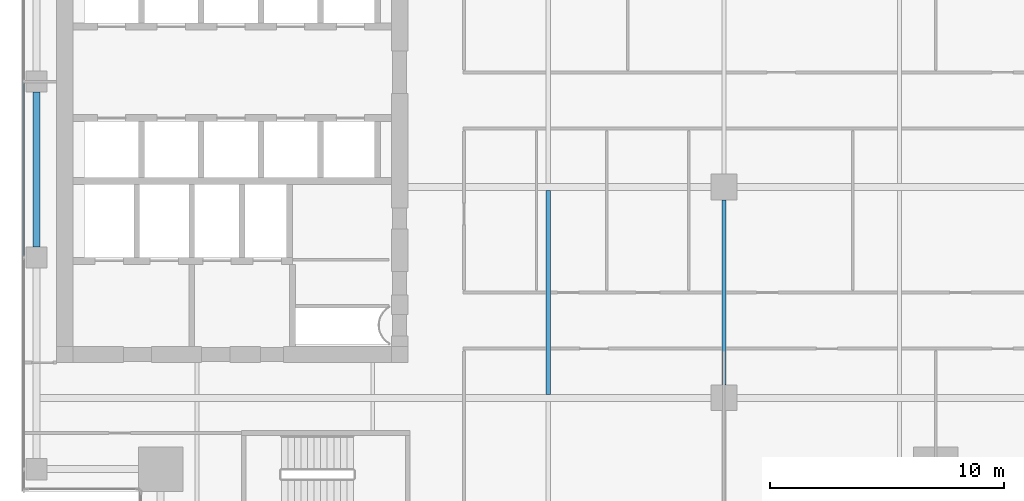
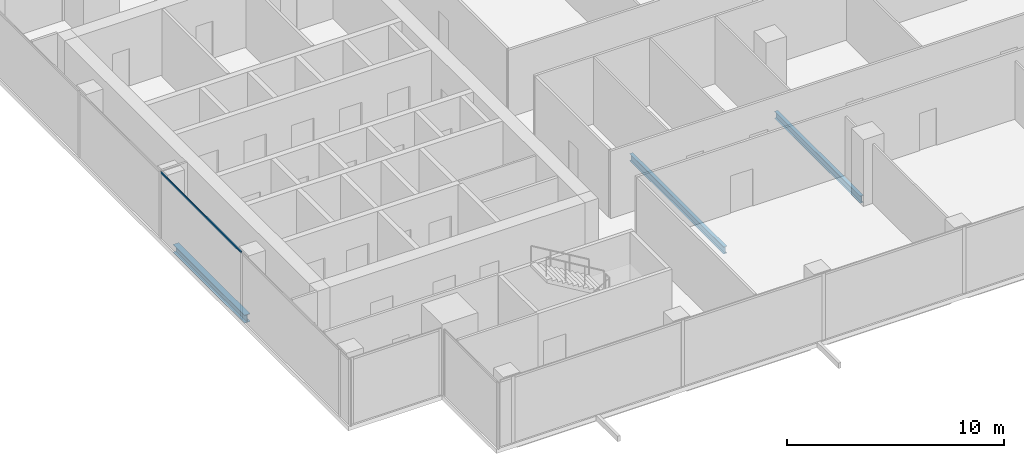
# One storey, part 7 of 34: 3 beams, 1 member, 1 element without a shape of its own.
"""IFC4 building model written with IfcOpenShell, lengths in metres."""

from ifc_helpers import new_model, si_unit, direction, frame, origin, origin_2d, place, context, subcontext, project, spatial, hollow_rectangle, i_section, extrude, source, transform, mapped, material, material_profile, profile_set, type_object, element, aggregate, save


model = new_model("IFC4")

# Units and contexts
model_context = context("Model", 3, precision=1e-05, world=origin(), true_north=direction((0.0, 1.0)))
body_context = subcontext(model_context, "Body", "Model", "MODEL_VIEW")
ifc_project = project(units=[si_unit("LENGTHUNIT", "METRE"), si_unit("AREAUNIT", "SQUARE_METRE"), si_unit("VOLUMEUNIT", "CUBIC_METRE"), si_unit("PLANEANGLEUNIT", "RADIAN"), si_unit("MASSUNIT", "GRAM", prefix="KILO")], contexts=[model_context])

# Site, building, storey
site_placement = place(None, origin())
site = spatial("IfcSite", under=ifc_project, at=site_placement, CompositionType="ELEMENT")
building_placement = place(site_placement, origin())
building = spatial("IfcBuilding", under=site, at=building_placement, Name="Khomas Fold Tower", CompositionType="ELEMENT")
storey_placement = place(building_placement, frame((0.0, 0.0, 242.199951171875)))
storey = spatial("IfcBuildingStorey", under=building, at=storey_placement, Name="L54", CompositionType="ELEMENT", Elevation=242.199951171875)

# Beams
ifc_material_1 = material(Name="Steel S355", Category="steel")
ifc_material_profile_1 = material_profile(ifc_material_1, i_section(OverallWidth=0.179931640625, OverallDepth=0.39990234375, WebThickness=0.008544921875, FlangeThickness=0.013427734375, at=origin_2d()), Name="IPE 400")
ifc_profile_set_1 = profile_set([ifc_material_profile_1], Name="Steel S355")
beam_type_1 = type_object("IfcBeamType", Name="IPE 400 beam JB3", PredefinedType="BEAM", material=ifc_profile_set_1)
shared_shape_1 = source(origin(), body_context, "Body", "SweptSolid", [
    extrude(i_section(OverallWidth=0.179931640625, OverallDepth=0.39990234375, WebThickness=0.008544921875, FlangeThickness=0.013427734375, at=origin_2d()), origin(), (0.0, 0.0, 1.0), 8.7001953125),
])
beam_1_placement = place(storey_placement, frame((27.0, 13.64990234375, -0.449951171875), z_axis=(0.0, 1.0, 0.0), x_axis=(-1.0, 0.0, 0.0)))
element("IfcBeam", 1, at=beam_1_placement, inside=storey, type_object=beam_type_1, Name="JB3", PredefinedType="BEAM", context=body_context, shape_type="MappedRepresentation", body=[
    mapped(shared_shape_1, transform((0.0, 0.0, 0.0))),
])
ifc_material_2 = material(Name="Steel S355", Category="steel")
ifc_material_profile_2 = material_profile(ifc_material_2, i_section(OverallWidth=0.300048828125, OverallDepth=0.449951171875, WebThickness=0.013916015625, FlangeThickness=0.02587890625, at=origin_2d()), Name="HE 450 B")
ifc_profile_set_2 = profile_set([ifc_material_profile_2], Name="Steel S355")
beam_type_2 = type_object("IfcBeamType", Name="HE 450 B spandrel SB4", PredefinedType="SPANDREL", material=ifc_profile_set_2)
shared_shape_2 = source(origin(), body_context, "Body", "SweptSolid", [
    extrude(i_section(OverallWidth=0.300048828125, OverallDepth=0.449951171875, WebThickness=0.013916015625, FlangeThickness=0.02587890625, at=origin_2d()), origin(), (0.0, 0.0, 1.0), 6.60009765625),
])
beam_2_placement = place(storey_placement, frame((5.14990234375, 19.949951171875, -0.474853515625), z_axis=(0.0, 1.0, 0.0), x_axis=(-1.0, 0.0, 0.0)))
element("IfcBeam", 2, at=beam_2_placement, inside=storey, type_object=beam_type_2, Name="SB4", PredefinedType="SPANDREL", context=body_context, shape_type="MappedRepresentation", body=[
    mapped(shared_shape_2, transform((0.0, 0.0, 0.0))),
])
shared_shape_3 = source(origin(), body_context, "Body", "SweptSolid", [
    extrude(i_section(OverallWidth=0.179931640625, OverallDepth=0.39990234375, WebThickness=0.008544921875, FlangeThickness=0.013427734375, at=origin_2d()), origin(), (0.0, 0.0, 1.0), 7.89990234375),
])
beam_3_placement = place(storey_placement, frame((34.5, 14.050048828125, -0.449951171875), z_axis=(0.0, 1.0, 0.0), x_axis=(-1.0, 0.0, 0.0)))
element("IfcBeam", 3, at=beam_3_placement, inside=storey, type_object=beam_type_1, Name="JB3", PredefinedType="BEAM", context=body_context, shape_type="MappedRepresentation", body=[
    mapped(shared_shape_3, transform((0.0, 0.0, 0.0))),
])

# Curtain wall, member
ifc_material_3 = material(Name="Aluminium framed double glazing", Category="aluminium")
curtain_wall_type = type_object("IfcCurtainWallType", Name="SK-Unitised clear-glass wall, office floors CW2", PredefinedType="NOTDEFINED", material=ifc_material_3)
curtain_wall_placement = place(storey_placement, origin())
curtain_wall = element("IfcCurtainWall", 4, at=curtain_wall_placement, inside=storey, type_object=curtain_wall_type, Name="CW2 run L54 09-0", PredefinedType="NOTDEFINED")
ifc_material_4 = material(Name="Aluminium", Category="aluminium")
ifc_material_profile_3 = material_profile(ifc_material_4, hollow_rectangle(XDim=0.050048828125, YDim=0.110107421875, WallThickness=0.00390625, at=origin_2d()), Name="SK-Unitised clear-glass wall, office floors transom CW2-T")
ifc_profile_set_3 = profile_set([ifc_material_profile_3], Name="Aluminium")
member_type = type_object("IfcMemberType", Name="SK-Unitised clear-glass wall, office floors transom CW2-T", PredefinedType="USERDEFINED", material=ifc_profile_set_3)
shared_shape_4 = source(origin(), body_context, "Body", "SweptSolid", [
    extrude(hollow_rectangle(XDim=0.050048828125, YDim=0.110107421875, WallThickness=0.00390625, at=origin_2d()), origin(), (0.0, 0.0, 1.0), 7.43994140625),
])
member_placement = place(storey_placement, frame((4.60009765625, 26.969970703125, 3.695068359375), z_axis=(0.0, -1.0, 0.0), x_axis=(1.0, 0.0, 0.0)))
member = element("IfcMember", 5, at=member_placement, type_object=member_type, Name="CW2 transom 4", ObjectType="TRANSOM", PredefinedType="USERDEFINED", context=body_context, shape_type="MappedRepresentation", body=[
    mapped(shared_shape_4, transform((0.0, 0.0, 0.0))),
])
aggregate(curtain_wall, [member])

save(model, "model.ifc")
